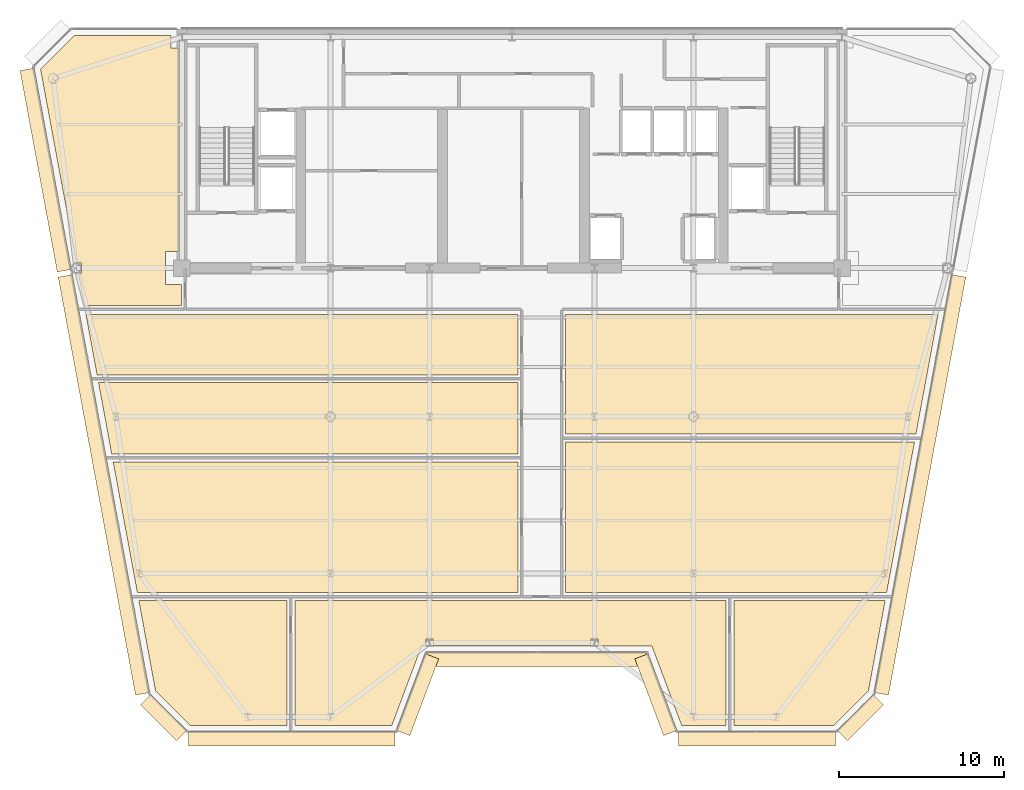
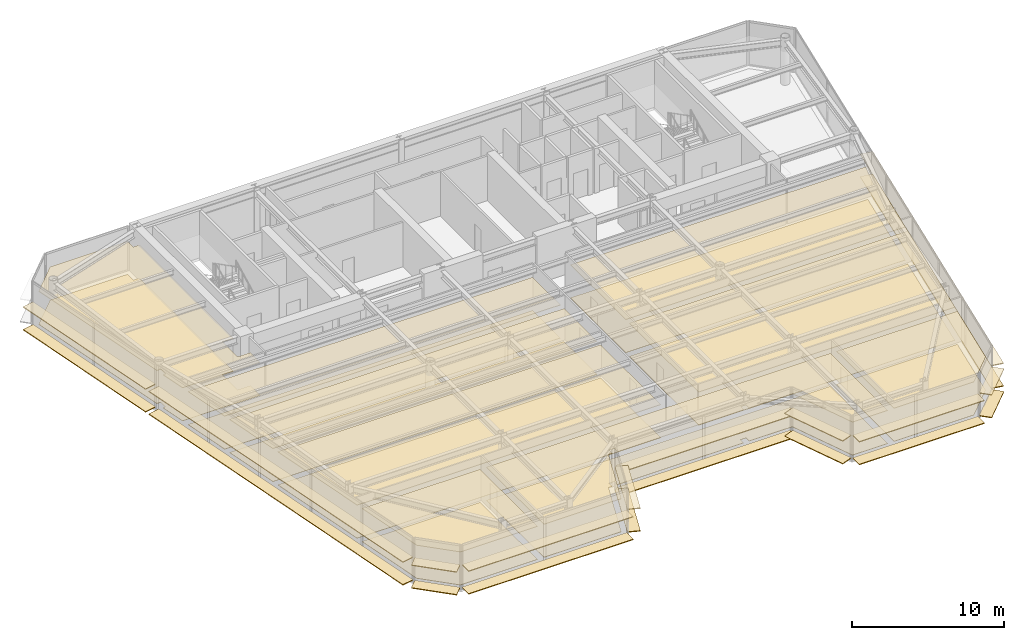
# One storey, part 14 of 17: 38 coverings.
"""IFC4 building model written with IfcOpenShell, lengths in metres."""

from ifc_helpers import new_model, si_unit, direction, frame, origin, origin_2d, place, context, subcontext, project, spatial, polyline, rectangle, outline, extrude, source, transform, mapped, material, layer, layer_set, type_object, element, save


model = new_model("IFC4")

# Units and contexts
model_context = context("Model", 3, precision=1e-05, world=origin(), true_north=direction((0.0, 1.0)))
body_context = subcontext(model_context, "Body", "Model", "MODEL_VIEW")
ifc_project = project(units=[si_unit("LENGTHUNIT", "METRE"), si_unit("AREAUNIT", "SQUARE_METRE"), si_unit("VOLUMEUNIT", "CUBIC_METRE"), si_unit("PLANEANGLEUNIT", "RADIAN"), si_unit("MASSUNIT", "GRAM", prefix="KILO")], contexts=[model_context])

# Site, building, storey
site_placement = place(None, origin())
site = spatial("IfcSite", under=ifc_project, at=site_placement, CompositionType="ELEMENT")
building_placement = place(site_placement, origin())
building = spatial("IfcBuilding", under=site, at=building_placement, Name="Vaeldorn Concourse Tower", CompositionType="ELEMENT")
storey_placement = place(building_placement, frame((0.0, 0.0, 230.800048828125)))
storey = spatial("IfcBuildingStorey", under=building, at=storey_placement, Name="L59", CompositionType="ELEMENT", Elevation=230.800048828125)

# Coverings
ifc_material_1 = material(Name="Acoustic Mineral Fibre Board", Category="gypsum")
ifc_layer_1 = layer(ifc_material_1, 0.0400390625)
ifc_layer_set_1 = layer_set([ifc_layer_1], Name="Acoustic Mineral Fibre Board")
covering_type_1 = type_object("IfcCoveringType", Name="COV-CEIL-ACOUSTIC", PredefinedType="CEILING", material=ifc_layer_set_1)
covering_1_placement = place(storey_placement, frame((0.0, 0.0, 2.64990234375)))
element("IfcCovering", 1, at=covering_1_placement, inside=storey, type_object=covering_type_1, Name="Suspended Acoustic Ceiling L59-3", PredefinedType="CEILING", context=body_context, shape_type="SweptSolid", body=[
    extrude(outline(polyline([(7.4658203125, 50.60009765625), (13.340087890625, 50.60009765625), (13.340087890625, 49.840087890625), (13.820068359375, 49.840087890625), (13.820068359375, 37.5), (13.0, 37.5), (13.0, 35.5), (13.9599609375, 35.5), (13.9599609375, 34.239990234375), (8.08154296875, 34.239990234375), (7.719970703125, 36.195068359375), (7.905029296875, 36.195068359375), (7.905029296875, 36.804931640625), (7.607177734375, 36.804931640625), (5.431640625, 48.56591796875), (7.4658203125, 50.60009765625)])), origin(), (0.0, 0.0, 1.0), 0.0400390625),
])
covering_2_placement = place(storey_placement, frame((0.0, 0.0, 2.64990234375)))
element("IfcCovering", 2, at=covering_2_placement, inside=storey, type_object=covering_type_1, Name="Suspended Acoustic Ceiling L59-5", PredefinedType="CEILING", context=body_context, shape_type="SweptSolid", body=[
    extrude(outline(polyline([(34.360107421875, 24.760009765625), (34.360107421875, 16.840087890625), (11.300048828125, 16.840087890625), (11.282958984375, 16.9326171875), (11.20751953125, 17.340087890625), (11.20751953125, 17.340087890625), (9.8349609375, 24.760009765625), (34.360107421875, 24.760009765625)])), origin(), (0.0, 0.0, 1.0), 0.0400390625),
])
covering_3_placement = place(storey_placement, frame((0.0, 0.0, 2.64990234375)))
element("IfcCovering", 3, at=covering_3_placement, inside=storey, type_object=covering_type_1, Name="Suspended Acoustic Ceiling L59-6", PredefinedType="CEILING", context=body_context, shape_type="SweptSolid", body=[
    extrude(outline(polyline([(34.360107421875, 29.56005859375), (34.360107421875, 25.239990234375), (9.746337890625, 25.239990234375), (8.947021484375, 29.56005859375), (34.360107421875, 29.56005859375)])), origin(), (0.0, 0.0, 1.0), 0.0400390625),
])
covering_4_placement = place(storey_placement, frame((0.0, 0.0, 2.64990234375)))
element("IfcCovering", 4, at=covering_4_placement, inside=storey, type_object=covering_type_1, Name="Suspended Acoustic Ceiling L59-7", PredefinedType="CEILING", context=body_context, shape_type="SweptSolid", body=[
    extrude(outline(polyline([(34.360107421875, 33.699951171875), (34.360107421875, 30.0400390625), (8.8583984375, 30.0400390625), (8.181396484375, 33.699951171875), (34.360107421875, 33.699951171875)])), origin(), (0.0, 0.0, 1.0), 0.0400390625),
])
covering_5_placement = place(storey_placement, frame((0.0, 0.0, 2.64990234375)))
element("IfcCovering", 5, at=covering_5_placement, inside=storey, type_object=covering_type_1, Name="Suspended Acoustic Ceiling L59-8", PredefinedType="CEILING", context=body_context, shape_type="SweptSolid", body=[
    extrude(outline(polyline([(37.239990234375, 16.840087890625), (37.239990234375, 25.9599609375), (58.386962890625, 25.9599609375), (56.973876953125, 18.321044921875), (56.699951171875, 16.840087890625), (37.239990234375, 16.840087890625)])), origin(), (0.0, 0.0, 1.0), 0.0400390625),
])
covering_6_placement = place(storey_placement, frame((0.0, 0.0, 2.64990234375)))
element("IfcCovering", 6, at=covering_6_placement, inside=storey, type_object=covering_type_1, Name="Suspended Acoustic Ceiling L59-9", PredefinedType="CEILING", context=body_context, shape_type="SweptSolid", body=[
    extrude(outline(polyline([(37.239990234375, 26.43994140625), (37.239990234375, 33.699951171875), (59.818603515625, 33.699951171875), (58.4755859375, 26.43994140625), (37.239990234375, 26.43994140625)])), origin(), (0.0, 0.0, 1.0), 0.0400390625),
])
covering_7_placement = place(storey_placement, frame((0.0, 0.0, 2.64990234375)))
element("IfcCovering", 7, at=covering_7_placement, inside=storey, type_object=covering_type_1, Name="Suspended Acoustic Ceiling L59-10", PredefinedType="CEILING", context=body_context, shape_type="SweptSolid", body=[
    extrude(outline(polyline([(20.360107421875, 16.360107421875), (20.360107421875, 8.800048828125), (14.49462890625, 8.800048828125), (12.399658203125, 10.89501953125), (11.388916015625, 16.360107421875), (20.360107421875, 16.360107421875)])), origin(), (0.0, 0.0, 1.0), 0.0400390625),
])
covering_8_placement = place(storey_placement, frame((0.0, 0.0, 2.64990234375)))
element("IfcCovering", 8, at=covering_8_placement, inside=storey, type_object=covering_type_1, Name="Suspended Acoustic Ceiling L59-11", PredefinedType="CEILING", context=body_context, shape_type="SweptSolid", body=[
    extrude(outline(polyline([(26.722900390625, 8.800048828125), (20.840087890625, 8.800048828125), (20.840087890625, 16.360107421875), (46.9599609375, 16.360107421875), (46.9599609375, 8.800048828125), (44.277099609375, 8.800048828125), (42.477294921875, 13.60009765625), (39.2060546875, 13.60009765625), (39.2060546875, 14.017578125), (38.7939453125, 14.017578125), (38.7939453125, 13.60009765625), (29.2060546875, 13.60009765625), (29.2060546875, 14.017578125), (28.7939453125, 14.017578125), (28.7939453125, 13.60009765625), (28.522705078125, 13.60009765625), (26.722900390625, 8.800048828125)])), origin(), (0.0, 0.0, 1.0), 0.0400390625),
])
covering_9_placement = place(storey_placement, frame((0.0, 0.0, 2.64990234375)))
element("IfcCovering", 9, at=covering_9_placement, inside=storey, type_object=covering_type_1, Name="Suspended Acoustic Ceiling L59-12", PredefinedType="CEILING", context=body_context, shape_type="SweptSolid", body=[
    extrude(outline(polyline([(53.50537109375, 8.800048828125), (47.43994140625, 8.800048828125), (47.43994140625, 16.360107421875), (56.611083984375, 16.360107421875), (55.600341796875, 10.89501953125), (53.50537109375, 8.800048828125)])), origin(), (0.0, 0.0, 1.0), 0.0400390625),
])
ifc_material_2 = material(Name="Honed Limestone Terrazzo Flooring", Category="masonry")
ifc_layer_2 = layer(ifc_material_2, 0.0400390625)
ifc_layer_set_2 = layer_set([ifc_layer_2], Name="Honed Limestone Terrazzo Flooring")
covering_type_2 = type_object("IfcCoveringType", Name="COV-FLOOR-STONE", PredefinedType="FLOORING", material=ifc_layer_set_2)
covering_10_placement = place(storey_placement, origin())
element("IfcCovering", 10, at=covering_10_placement, inside=storey, type_object=covering_type_2, Name="Floor Finish Covering L59-3", PredefinedType="FLOORING", context=body_context, shape_type="SweptSolid", body=[
    extrude(outline(polyline([(7.4658203125, 50.60009765625), (13.340087890625, 50.60009765625), (13.340087890625, 49.840087890625), (13.820068359375, 49.840087890625), (13.820068359375, 37.5), (13.0, 37.5), (13.0, 35.5), (13.9599609375, 35.5), (13.9599609375, 34.239990234375), (8.08154296875, 34.239990234375), (7.719970703125, 36.195068359375), (7.905029296875, 36.195068359375), (7.905029296875, 36.804931640625), (7.607177734375, 36.804931640625), (5.431640625, 48.56591796875), (7.4658203125, 50.60009765625)])), origin(), (0.0, 0.0, 1.0), 0.030029296875),
])
covering_11_placement = place(storey_placement, origin())
element("IfcCovering", 11, at=covering_11_placement, inside=storey, type_object=covering_type_2, Name="Floor Finish Covering L59-5", PredefinedType="FLOORING", context=body_context, shape_type="SweptSolid", body=[
    extrude(outline(polyline([(34.360107421875, 24.760009765625), (34.360107421875, 16.840087890625), (11.300048828125, 16.840087890625), (11.282958984375, 16.9326171875), (11.20751953125, 17.340087890625), (11.20751953125, 17.340087890625), (9.8349609375, 24.760009765625), (34.360107421875, 24.760009765625)])), origin(), (0.0, 0.0, 1.0), 0.030029296875),
])
covering_12_placement = place(storey_placement, origin())
element("IfcCovering", 12, at=covering_12_placement, inside=storey, type_object=covering_type_2, Name="Floor Finish Covering L59-6", PredefinedType="FLOORING", context=body_context, shape_type="SweptSolid", body=[
    extrude(outline(polyline([(34.360107421875, 29.56005859375), (34.360107421875, 25.239990234375), (9.746337890625, 25.239990234375), (8.947021484375, 29.56005859375), (34.360107421875, 29.56005859375)])), origin(), (0.0, 0.0, 1.0), 0.030029296875),
])
covering_13_placement = place(storey_placement, origin())
element("IfcCovering", 13, at=covering_13_placement, inside=storey, type_object=covering_type_2, Name="Floor Finish Covering L59-7", PredefinedType="FLOORING", context=body_context, shape_type="SweptSolid", body=[
    extrude(outline(polyline([(34.360107421875, 33.699951171875), (34.360107421875, 30.0400390625), (8.8583984375, 30.0400390625), (8.181396484375, 33.699951171875), (34.360107421875, 33.699951171875)])), origin(), (0.0, 0.0, 1.0), 0.030029296875),
])
covering_14_placement = place(storey_placement, origin())
element("IfcCovering", 14, at=covering_14_placement, inside=storey, type_object=covering_type_2, Name="Floor Finish Covering L59-8", PredefinedType="FLOORING", context=body_context, shape_type="SweptSolid", body=[
    extrude(outline(polyline([(37.239990234375, 16.840087890625), (37.239990234375, 25.9599609375), (58.386962890625, 25.9599609375), (56.973876953125, 18.321044921875), (56.699951171875, 16.840087890625), (37.239990234375, 16.840087890625)])), origin(), (0.0, 0.0, 1.0), 0.030029296875),
])
covering_15_placement = place(storey_placement, origin())
element("IfcCovering", 15, at=covering_15_placement, inside=storey, type_object=covering_type_2, Name="Floor Finish Covering L59-9", PredefinedType="FLOORING", context=body_context, shape_type="SweptSolid", body=[
    extrude(outline(polyline([(37.239990234375, 26.43994140625), (37.239990234375, 33.699951171875), (59.818603515625, 33.699951171875), (58.4755859375, 26.43994140625), (37.239990234375, 26.43994140625)])), origin(), (0.0, 0.0, 1.0), 0.030029296875),
])
covering_16_placement = place(storey_placement, origin())
element("IfcCovering", 16, at=covering_16_placement, inside=storey, type_object=covering_type_2, Name="Floor Finish Covering L59-10", PredefinedType="FLOORING", context=body_context, shape_type="SweptSolid", body=[
    extrude(outline(polyline([(20.360107421875, 16.360107421875), (20.360107421875, 8.800048828125), (14.49462890625, 8.800048828125), (12.399658203125, 10.89501953125), (11.388916015625, 16.360107421875), (20.360107421875, 16.360107421875)])), origin(), (0.0, 0.0, 1.0), 0.030029296875),
])
covering_17_placement = place(storey_placement, origin())
element("IfcCovering", 17, at=covering_17_placement, inside=storey, type_object=covering_type_2, Name="Floor Finish Covering L59-11", PredefinedType="FLOORING", context=body_context, shape_type="SweptSolid", body=[
    extrude(outline(polyline([(26.722900390625, 8.800048828125), (20.840087890625, 8.800048828125), (20.840087890625, 16.360107421875), (46.9599609375, 16.360107421875), (46.9599609375, 8.800048828125), (44.277099609375, 8.800048828125), (42.477294921875, 13.60009765625), (39.2060546875, 13.60009765625), (39.2060546875, 14.017578125), (38.7939453125, 14.017578125), (38.7939453125, 13.60009765625), (29.2060546875, 13.60009765625), (29.2060546875, 14.017578125), (28.7939453125, 14.017578125), (28.7939453125, 13.60009765625), (28.522705078125, 13.60009765625), (26.722900390625, 8.800048828125)])), origin(), (0.0, 0.0, 1.0), 0.030029296875),
])
covering_18_placement = place(storey_placement, origin())
element("IfcCovering", 18, at=covering_18_placement, inside=storey, type_object=covering_type_2, Name="Floor Finish Covering L59-12", PredefinedType="FLOORING", context=body_context, shape_type="SweptSolid", body=[
    extrude(outline(polyline([(53.50537109375, 8.800048828125), (47.43994140625, 8.800048828125), (47.43994140625, 16.360107421875), (56.611083984375, 16.360107421875), (55.600341796875, 10.89501953125), (53.50537109375, 8.800048828125)])), origin(), (0.0, 0.0, 1.0), 0.030029296875),
])
ifc_material_3 = material(Name="Anodised Bronze Aluminium", Category="aluminium")
ifc_layer_3 = layer(ifc_material_3, 0.06494140625)
ifc_layer_set_3 = layer_set([ifc_layer_3], Name="Anodised Bronze Aluminium")
covering_type_3 = type_object("IfcCoveringType", Name="SD-BRONZE-SUNSHADE", PredefinedType="USERDEFINED", material=ifc_layer_set_3)
shared_shape_1 = source(origin(), body_context, "Body", "SweptSolid", [
    extrude(rectangle(XDim=4.96630859375, YDim=0.8798828125, at=origin_2d()), origin(), (0.0, 0.0, 1.0), 0.06494140625),
])
for number, where, z_axis, x_axis, name in (
    (19, (28.2744140625, 10.65966796875, 0.04736328125), (0.0, 0.0, 1.0), (0.351122702609, 0.936329454686, 0.0), "Horizontal Bronze Sunshade L59-E02.1.1"),
    (20, (28.2744140625, 10.65966796875, 1.867431640625), (0.0, 0.0, 1.0), (0.351122702609, 0.936329454686, 0.0), "Horizontal Bronze Sunshade L59-E02.1.2"),
    (21, (42.7255859375, 10.65966796875, 0.04736328125), (0.0, 0.0, 1.0), (0.351122702609, -0.936329454686, 0.0), "Horizontal Bronze Sunshade L59-E04.1.1"),
    (22, (42.7255859375, 10.65966796875, 1.867431640625), (0.0, 0.0, 1.0), (0.351122702609, -0.936329454686, 0.0), "Horizontal Bronze Sunshade L59-E04.1.2"),
):
    element("IfcCovering", number, at=place(storey_placement, frame(where, z_axis=z_axis, x_axis=x_axis)), inside=storey, type_object=covering_type_3, Name=name, ObjectType="SUNSHADE", PredefinedType="USERDEFINED", context=body_context, shape_type="MappedRepresentation", body=[
        mapped(shared_shape_1, transform((0.0, 0.0, 0.0), scale=1.0)),
    ])
shared_shape_2 = source(origin(), body_context, "Body", "SweptSolid", [
    extrude(rectangle(XDim=13.239990234375, YDim=0.8798828125, at=origin_2d()), origin(), (0.0, 0.0, 1.0), 0.06494140625),
])
for number, where, z_axis, x_axis, name in (
    (23, (35.5, 12.800048828125, 0.04736328125), (0.0, 0.0, 1.0), (1.0, 0.0, 0.0), "Horizontal Bronze Sunshade L59-E03.1.1"),
    (24, (35.5, 12.800048828125, 1.867431640625), (0.0, 0.0, 1.0), (1.0, 0.0, 0.0), "Horizontal Bronze Sunshade L59-E03.1.2"),
):
    element("IfcCovering", number, at=place(storey_placement, frame(where, z_axis=z_axis, x_axis=x_axis)), inside=storey, type_object=covering_type_3, Name=name, ObjectType="SUNSHADE", PredefinedType="USERDEFINED", context=body_context, shape_type="MappedRepresentation", body=[
        mapped(shared_shape_2, transform((0.0, 0.0, 0.0), scale=1.0)),
    ])
shared_shape_3 = source(origin(), body_context, "Body", "SweptSolid", [
    extrude(rectangle(XDim=3.0927734375, YDim=0.8798828125, at=origin_2d()), origin(), (0.0, 0.0, 1.0), 0.06494140625),
])
for number, where, z_axis, x_axis, name in (
    (25, (55.103759765625, 9.26708984375, 0.04736328125), (0.0, 0.0, 1.0), (0.707106781187, 0.707106781187, 0.0), "Horizontal Bronze Sunshade L59-E06.1.1"),
    (26, (55.103759765625, 9.26708984375, 1.867431640625), (0.0, 0.0, 1.0), (0.707106781187, 0.707106781187, 0.0), "Horizontal Bronze Sunshade L59-E06.1.2"),
    (27, (12.896240234375, 9.26708984375, 0.04736328125), (0.0, 0.0, 1.0), (0.707106781187, -0.707106781187, 0.0), "Horizontal Bronze Sunshade L59-E12.1.1"),
    (28, (12.896240234375, 9.26708984375, 1.867431640625), (0.0, 0.0, 1.0), (0.707106781187, -0.707106781187, 0.0), "Horizontal Bronze Sunshade L59-E12.1.2"),
):
    element("IfcCovering", number, at=place(storey_placement, frame(where, z_axis=z_axis, x_axis=x_axis)), inside=storey, type_object=covering_type_3, Name=name, ObjectType="SUNSHADE", PredefinedType="USERDEFINED", context=body_context, shape_type="MappedRepresentation", body=[
        mapped(shared_shape_3, transform((0.0, 0.0, 0.0), scale=1.0)),
    ])
shared_shape_4 = source(origin(), body_context, "Body", "SweptSolid", [
    extrude(rectangle(XDim=12.510986328125, YDim=0.8798828125, at=origin_2d()), origin(), (0.0, 0.0, 1.0), 0.06494140625),
])
for number, where, z_axis, x_axis, name in (
    (29, (20.66455078125, 8.0, 0.04736328125), (0.0, 0.0, 1.0), (1.0, 0.0, 0.0), "Horizontal Bronze Sunshade L59-E01.1.1"),
    (30, (20.66455078125, 8.0, 1.867431640625), (0.0, 0.0, 1.0), (1.0, 0.0, 0.0), "Horizontal Bronze Sunshade L59-E01.1.2"),
):
    element("IfcCovering", number, at=place(storey_placement, frame(where, z_axis=z_axis, x_axis=x_axis)), inside=storey, type_object=covering_type_3, Name=name, ObjectType="SUNSHADE", PredefinedType="USERDEFINED", context=body_context, shape_type="MappedRepresentation", body=[
        mapped(shared_shape_4, transform((0.0, 0.0, 0.0), scale=1.0)),
    ])
shared_shape_5 = source(origin(), body_context, "Body", "SweptSolid", [
    extrude(rectangle(XDim=9.510986328125, YDim=0.8798828125, at=origin_2d()), origin(), (0.0, 0.0, 1.0), 0.06494140625),
])
for number, where, z_axis, x_axis, name in (
    (31, (48.83544921875, 8.0, 0.04736328125), (0.0, 0.0, 1.0), (1.0, 0.0, 0.0), "Horizontal Bronze Sunshade L59-E05.1.1"),
    (32, (48.83544921875, 8.0, 1.867431640625), (0.0, 0.0, 1.0), (1.0, 0.0, 0.0), "Horizontal Bronze Sunshade L59-E05.1.2"),
):
    element("IfcCovering", number, at=place(storey_placement, frame(where, z_axis=z_axis, x_axis=x_axis)), inside=storey, type_object=covering_type_3, Name=name, ObjectType="SUNSHADE", PredefinedType="USERDEFINED", context=body_context, shape_type="MappedRepresentation", body=[
        mapped(shared_shape_5, transform((0.0, 0.0, 0.0), scale=1.0)),
    ])
shared_shape_6 = source(origin(), body_context, "Body", "SweptSolid", [
    extrude(rectangle(XDim=25.75732421875, YDim=0.8798828125, at=origin_2d()), origin(), (0.0, 0.0, 1.0), 0.06494140625),
])
for number, where, z_axis, x_axis, name in (
    (33, (58.721435546875, 23.36962890625, 0.04736328125), (0.0, 0.0, 1.0), (0.181892293686, 0.983318459858, 0.0), "Horizontal Bronze Sunshade L59-E07.1.1"),
    (34, (58.721435546875, 23.36962890625, 1.867431640625), (0.0, 0.0, 1.0), (0.181892293686, 0.983318459858, 0.0), "Horizontal Bronze Sunshade L59-E07.1.2"),
    (35, (9.278564453125, 23.36962890625, 0.04736328125), (0.0, 0.0, 1.0), (0.181892293686, -0.983318459858, 0.0), "Horizontal Bronze Sunshade L59-E11.2.1"),
    (36, (9.278564453125, 23.36962890625, 1.867431640625), (0.0, 0.0, 1.0), (0.181892293686, -0.983318459858, 0.0), "Horizontal Bronze Sunshade L59-E11.2.2"),
):
    element("IfcCovering", number, at=place(storey_placement, frame(where, z_axis=z_axis, x_axis=x_axis)), inside=storey, type_object=covering_type_3, Name=name, ObjectType="SUNSHADE", PredefinedType="USERDEFINED", context=body_context, shape_type="MappedRepresentation", body=[
        mapped(shared_shape_6, transform((0.0, 0.0, 0.0), scale=1.0)),
    ])
shared_shape_7 = source(origin(), body_context, "Body", "SweptSolid", [
    extrude(rectangle(XDim=12.402587890625, YDim=0.8798828125, at=origin_2d()), origin(), (0.0, 0.0, 1.0), 0.06494140625),
])
for number, where, z_axis, x_axis, name in (
    (37, (5.749267578125, 42.45068359375, 0.04736328125), (0.0, 0.0, 1.0), (0.181892293686, -0.983318459858, 0.0), "Horizontal Bronze Sunshade L59-E11.1.1"),
    (38, (5.749267578125, 42.45068359375, 1.867431640625), (0.0, 0.0, 1.0), (0.181892293686, -0.983318459858, 0.0), "Horizontal Bronze Sunshade L59-E11.1.2"),
):
    element("IfcCovering", number, at=place(storey_placement, frame(where, z_axis=z_axis, x_axis=x_axis)), inside=storey, type_object=covering_type_3, Name=name, ObjectType="SUNSHADE", PredefinedType="USERDEFINED", context=body_context, shape_type="MappedRepresentation", body=[
        mapped(shared_shape_7, transform((0.0, 0.0, 0.0), scale=1.0)),
    ])

save(model, "model.ifc")
